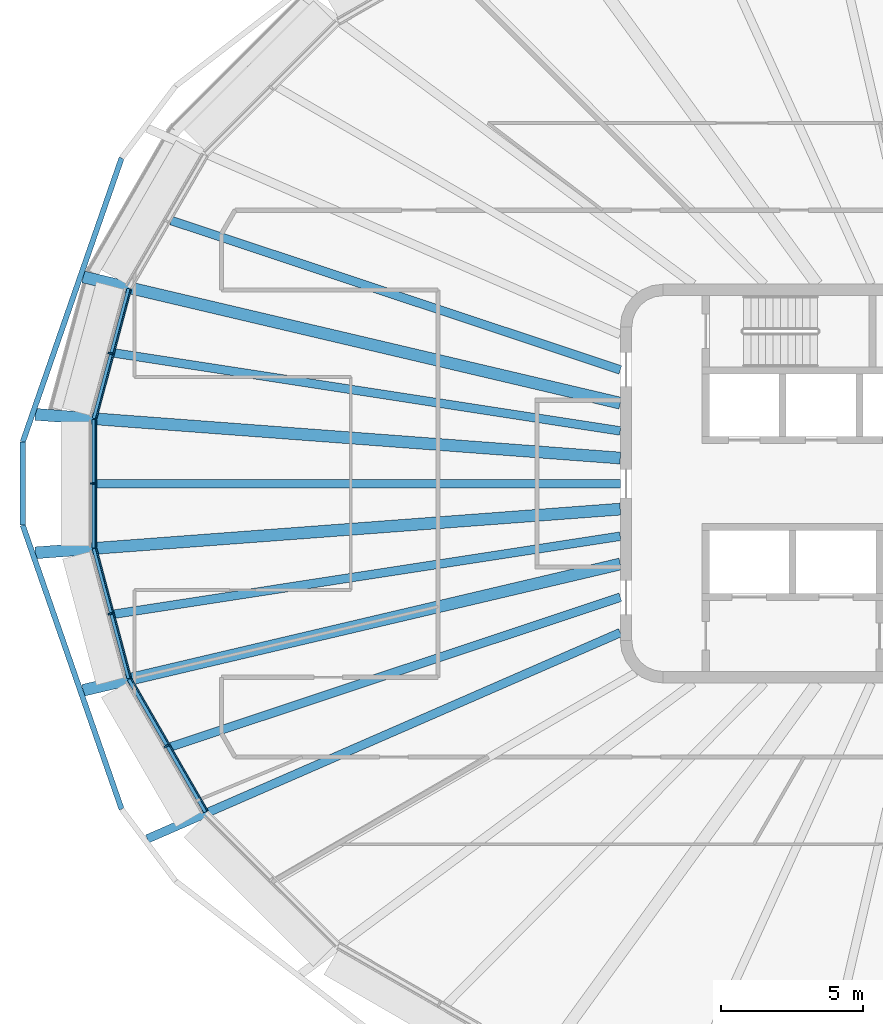
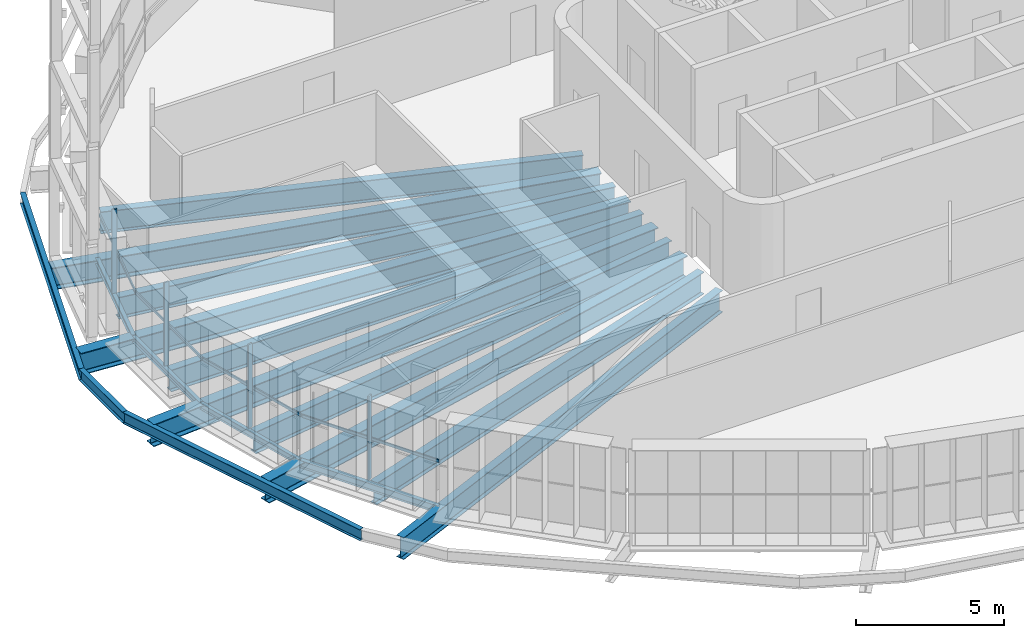
# One storey, part 2 of 20: 17 beams, 8 members, 4 elements without a shape of their own.
"""IFC4 building model written with IfcOpenShell, lengths in metres."""

from ifc_helpers import new_model, si_unit, direction, frame, origin, origin_2d, place, context, subcontext, project, spatial, rectangle, i_section, extrude, material, layer, layer_set, material_profile, profile_set, type_object, element, aggregate, save


model = new_model("IFC4")

# Units and contexts
model_context = context("Model", 3, precision=1e-05, world=origin(), true_north=direction((0.0, 1.0)))
body_context = subcontext(model_context, "Body", "Model", "MODEL_VIEW")
ifc_project = project(units=[si_unit("LENGTHUNIT", "METRE"), si_unit("AREAUNIT", "SQUARE_METRE"), si_unit("VOLUMEUNIT", "CUBIC_METRE"), si_unit("PLANEANGLEUNIT", "RADIAN"), si_unit("MASSUNIT", "GRAM", prefix="KILO")], contexts=[model_context])

# Site, building, storey
site_placement = place(None, origin())
site = spatial("IfcSite", under=ifc_project, at=site_placement, CompositionType="ELEMENT")
building_placement = place(site_placement, origin())
building = spatial("IfcBuilding", under=site, at=building_placement, Name="Sahrelin Media Tower", CompositionType="ELEMENT")
storey_placement = place(building_placement, frame((0.0, 0.0, 213.60009765625)))
storey = spatial("IfcBuildingStorey", under=building, at=storey_placement, Name="L45", CompositionType="ELEMENT", Elevation=213.60009765625)

# Beams
ifc_material_1 = material(Name="Steel S355", Category="steel")
ifc_material_profile_1 = material_profile(ifc_material_1, i_section(OverallWidth=0.14599609375, OverallDepth=0.25146484375, WebThickness=0.006103515625, FlangeThickness=0.008544921875, FilletRadius=0.007568359375, at=origin_2d()), Name="UB 254x146x31")
ifc_profile_set_1 = profile_set([ifc_material_profile_1], Name="Steel S355")
beam_type_1 = type_object("IfcBeamType", Name="Edge beam EB1", PredefinedType="BEAM", material=ifc_profile_set_1)
beam_1_placement = place(storey_placement, frame((-29.247314453125, -6.838623046875, -0.27587890625), z_axis=(-0.258783514441, 0.965935346001, 0.0), x_axis=(-0.965935346001, -0.258783514441, 0.0)))
element("IfcBeam", 1, at=beam_1_placement, inside=storey, type_object=beam_type_1, Name="Edge beam L45-12", PredefinedType="BEAM", context=body_context, shape_type="SweptSolid", body=[
    extrude(i_section(OverallWidth=0.14599609375, OverallDepth=0.25146484375, WebThickness=0.006103515625, FlangeThickness=0.008544921875, FilletRadius=0.007568359375, at=origin_2d()), origin(), (0.0, 0.0, 1.0), 4.717041015625),
])
beam_2_placement = place(storey_placement, frame((-30.4716796875, -2.253662109375, -0.27587890625), z_axis=(0.0, 1.0, 0.0), x_axis=(-1.0, 0.0, 0.0)))
element("IfcBeam", 2, at=beam_2_placement, inside=storey, type_object=beam_type_1, Name="Edge beam L45-13", PredefinedType="BEAM", context=body_context, shape_type="SweptSolid", body=[
    extrude(i_section(OverallWidth=0.14599609375, OverallDepth=0.25146484375, WebThickness=0.006103515625, FlangeThickness=0.008544921875, FilletRadius=0.007568359375, at=origin_2d()), origin(), (0.0, 0.0, 1.0), 4.50732421875),
])
beam_3_placement = place(storey_placement, frame((-30.468017578125, 2.2822265625, -0.27587890625), z_axis=(0.258783514441, 0.965935346001, 0.0), x_axis=(-0.965935346001, 0.258783514441, 0.0)))
element("IfcBeam", 3, at=beam_3_placement, inside=storey, type_object=beam_type_1, Name="Edge beam L45-14", PredefinedType="BEAM", context=body_context, shape_type="SweptSolid", body=[
    extrude(i_section(OverallWidth=0.14599609375, OverallDepth=0.25146484375, WebThickness=0.006103515625, FlangeThickness=0.008544921875, FilletRadius=0.007568359375, at=origin_2d()), origin(), (0.0, 0.0, 1.0), 4.717041015625),
])
ifc_material_profile_2 = material_profile(ifc_material_1, i_section(OverallWidth=0.1650390625, OverallDepth=0.303466796875, WebThickness=0.006103515625, FlangeThickness=0.01025390625, FilletRadius=0.0087890625, at=origin_2d()), Name="UB 305x165x40")
ifc_profile_set_2 = profile_set([ifc_material_profile_2], Name="Steel S355")
beam_type_2 = type_object("IfcBeamType", Name="Edge beam EB2", PredefinedType="BEAM", material=ifc_profile_set_2)
beam_4_placement = place(storey_placement, frame((-26.5478515625, -11.521484375, -0.3017578125), z_axis=(-0.499992359988, 0.866029814703, 0.0), x_axis=(-0.866029814703, -0.499992359988, 0.0)))
element("IfcBeam", 4, at=beam_4_placement, inside=storey, type_object=beam_type_2, Name="Edge beam L45-11", PredefinedType="BEAM", context=body_context, shape_type="SweptSolid", body=[
    extrude(i_section(OverallWidth=0.1650390625, OverallDepth=0.303466796875, WebThickness=0.006103515625, FlangeThickness=0.01025390625, FilletRadius=0.0087890625, at=origin_2d()), origin(), (0.0, 0.0, 1.0), 5.37646484375),
])

# Curtain wall, member
ifc_material_2 = material(Name="Champagne anodised aluminium 6063-T6", Category="aluminium")
ifc_layer = layer(ifc_material_2, 0.14990234375)
ifc_layer_set = layer_set([ifc_layer], Name="Tower ribbon curtain wall")
curtain_wall_type = type_object("IfcCurtainWallType", Name="Tower ribbon curtain wall", PredefinedType="NOTDEFINED", material=ifc_layer_set)
curtain_wall_1_placement = place(storey_placement, frame((-30.00244140625, 4.59912109375, 0.0), z_axis=(0.0, 0.0, 1.0), x_axis=(1.0, 0.0, 0.0)))
curtain_wall_1 = element("IfcCurtainWall", 5, at=curtain_wall_1_placement, inside=storey, type_object=curtain_wall_type, Name="L45:CW:L45-11", PredefinedType="NOTDEFINED")
ifc_material_profile_3 = material_profile(ifc_material_2, rectangle(XDim=0.06005859375, YDim=0.175048828125, at=origin_2d()), Name="Mullion 60x175")
ifc_profile_set_3 = profile_set([ifc_material_profile_3], Name="Champagne anodised aluminium 6063-T6")
member_type_1 = type_object("IfcMemberType", Name="Mullion 60x175 CW1B", PredefinedType="MULLION", material=ifc_profile_set_3)
member_1_placement = place(storey_placement, frame((-29.898681640625, 4.5712890625, 0.0), z_axis=(0.0, 0.0, 1.0), x_axis=(-0.258820730961, -0.965925374563, 0.0)))
member_1 = element("IfcMember", 6, at=member_1_placement, type_object=member_type_1, Name="L45:CWM:L45-11", PredefinedType="MULLION", context=body_context, shape_type="SweptSolid", body=[
    extrude(rectangle(XDim=0.06005859375, YDim=0.175048828125, at=origin_2d()), origin(), (0.0, 0.0, 1.0), 3.448486328125),
])

curtain_wall_2_placement = place(storey_placement, frame((-30.621826171875, 0.0, 0.0), z_axis=(0.0, 0.0, 1.0), x_axis=(1.0, 0.0, 0.0)))
curtain_wall_2 = element("IfcCurtainWall", 7, at=curtain_wall_2_placement, inside=storey, type_object=curtain_wall_type, Name="L45:CW:L45-12", PredefinedType="NOTDEFINED")
member_2_placement = place(storey_placement, frame((-30.514404296875, 0.0, 0.0), z_axis=(0.0, 0.0, 1.0), x_axis=(0.0, -1.0, 0.0)))
member_2 = element("IfcMember", 8, at=member_2_placement, type_object=member_type_1, Name="L45:CWM:L45-12", PredefinedType="MULLION", context=body_context, shape_type="SweptSolid", body=[
    extrude(rectangle(XDim=0.06005859375, YDim=0.175048828125, at=origin_2d()), origin(), (0.0, 0.0, 1.0), 3.448486328125),
])

curtain_wall_3_placement = place(storey_placement, frame((-30.00244140625, -4.599365234375, 0.0), z_axis=(0.0, 0.0, 1.0), x_axis=(1.0, 0.0, 0.0)))
curtain_wall_3 = element("IfcCurtainWall", 9, at=curtain_wall_3_placement, inside=storey, type_object=curtain_wall_type, Name="L45:CW:L45-13", PredefinedType="NOTDEFINED")
member_3_placement = place(storey_placement, frame((-29.898681640625, -4.5712890625, 0.0), z_axis=(0.0, 0.0, 1.0), x_axis=(0.258820730961, -0.965925374563, 0.0)))
member_3 = element("IfcMember", 10, at=member_3_placement, type_object=member_type_1, Name="L45:CWM:L45-13", PredefinedType="MULLION", context=body_context, shape_type="SweptSolid", body=[
    extrude(rectangle(XDim=0.06005859375, YDim=0.175048828125, at=origin_2d()), origin(), (0.0, 0.0, 1.0), 3.448486328125),
])

curtain_wall_4_placement = place(storey_placement, frame((-28.02197265625, -9.268310546875, 0.0), z_axis=(0.0, 0.0, 1.0), x_axis=(1.0, 0.0, 0.0)))
curtain_wall_4 = element("IfcCurtainWall", 11, at=curtain_wall_4_placement, inside=storey, type_object=curtain_wall_type, Name="L45:CW:L45-14", PredefinedType="NOTDEFINED")
member_4_placement = place(storey_placement, frame((-27.9287109375, -9.214599609375, 0.0), z_axis=(0.0, 0.0, 1.0), x_axis=(0.4999984885, -0.866026276448, 0.0)))
member_4 = element("IfcMember", 12, at=member_4_placement, type_object=member_type_1, Name="L45:CWM:L45-14", PredefinedType="MULLION", context=body_context, shape_type="SweptSolid", body=[
    extrude(rectangle(XDim=0.06005859375, YDim=0.175048828125, at=origin_2d()), origin(), (0.0, 0.0, 1.0), 3.448486328125),
])

# Beams
ifc_material_profile_4 = material_profile(ifc_material_1, i_section(OverallWidth=0.30322265625, OverallDepth=0.903076171875, WebThickness=0.01513671875, FlangeThickness=0.020263671875, FilletRadius=0.01904296875, at=origin_2d()), Name="UB 914x305x201")
ifc_profile_set_4 = profile_set([ifc_material_profile_4], Name="Steel S355")
beam_type_3 = type_object("IfcBeamType", Name="Radial primary beam PB11", PredefinedType="BEAM", material=ifc_profile_set_4)
beam_5_placement = place(storey_placement, frame((-12.0, -5.23291015625, -0.6015625), z_axis=(-0.916633040882, -0.399729744156, 0.0), x_axis=(0.399729744156, -0.916633040882, 0.0)))
element("IfcBeam", 13, at=beam_5_placement, inside=storey, type_object=beam_type_3, Name="Radial beam L45-15", PredefinedType="BEAM", context=body_context, shape_type="SweptSolid", body=[
    extrude(i_section(OverallWidth=0.30322265625, OverallDepth=0.903076171875, WebThickness=0.01513671875, FlangeThickness=0.020263671875, FilletRadius=0.01904296875, at=origin_2d()), origin(), (0.0, 0.0, 1.0), 18.11474609375),
])
ifc_material_profile_5 = material_profile(ifc_material_1, i_section(OverallWidth=0.41845703125, OverallDepth=0.911865234375, WebThickness=0.019287109375, FlangeThickness=0.031982421875, FilletRadius=0.024169921875, at=origin_2d()), Name="UB 914x419x343")
ifc_profile_set_5 = profile_set([ifc_material_profile_5], Name="Steel S355")
beam_type_4 = type_object("IfcBeamType", Name="Radial primary beam PB12", PredefinedType="BEAM", material=ifc_profile_set_5)
beam_6_placement = place(storey_placement, frame((-12.0, 2.822265625, -0.60595703125), z_axis=(-0.973440466641, 0.22894029332, 0.0), x_axis=(-0.22894029332, -0.973440466641, 0.0)))
element("IfcBeam", 14, at=beam_6_placement, inside=storey, type_object=beam_type_4, Name="Radial beam L45-11", PredefinedType="BEAM", context=body_context, shape_type="SweptSolid", body=[
    extrude(i_section(OverallWidth=0.41845703125, OverallDepth=0.911865234375, WebThickness=0.019287109375, FlangeThickness=0.031982421875, FilletRadius=0.024169921875, at=origin_2d()), origin(), (0.0, 0.0, 1.0), 19.373291015625),
])
for number, where, z_axis, x_axis, name in (
    (15, (-12.0, 0.896484375, -0.60595703125), (-0.9972200688, 0.074512645791, 0.0), (-0.074512645791, -0.9972200688, 0.0), "Radial beam L45-12"),
    (16, (-12.0, -0.896484375, -0.60595703125), (-0.9972200688, -0.074512645791, 0.0), (0.074512645791, -0.9972200688, 0.0), "Radial beam L45-13"),
):
    element("IfcBeam", number, at=place(storey_placement, frame(where, z_axis=z_axis, x_axis=x_axis)), inside=storey, type_object=beam_type_4, Name=name, PredefinedType="BEAM", context=body_context, shape_type="SweptSolid", body=[
        extrude(i_section(OverallWidth=0.41845703125, OverallDepth=0.911865234375, WebThickness=0.019287109375, FlangeThickness=0.031982421875, FilletRadius=0.024169921875, at=origin_2d()), origin(), (0.0, 0.0, 1.0), 20.59619140625),
    ])
beam_7_placement = place(storey_placement, frame((-12.0, -2.822265625, -0.60595703125), z_axis=(-0.973440466641, -0.22894029332, 0.0), x_axis=(0.22894029332, -0.973440466641, 0.0)))
element("IfcBeam", 17, at=beam_7_placement, inside=storey, type_object=beam_type_4, Name="Radial beam L45-14", PredefinedType="BEAM", context=body_context, shape_type="SweptSolid", body=[
    extrude(i_section(OverallWidth=0.41845703125, OverallDepth=0.911865234375, WebThickness=0.019287109375, FlangeThickness=0.031982421875, FilletRadius=0.024169921875, at=origin_2d()), origin(), (0.0, 0.0, 1.0), 19.373291015625),
])
ifc_material_profile_6 = material_profile(ifc_material_1, i_section(OverallWidth=0.30322265625, OverallDepth=0.903076171875, WebThickness=0.01513671875, FlangeThickness=0.020263671875, FilletRadius=0.01904296875, at=origin_2d()), Name="UB 914x305x201")
ifc_profile_set_6 = profile_set([ifc_material_profile_6], Name="Steel S355")
beam_type_5 = type_object("IfcBeamType", Name="Radial secondary beam SB11", PredefinedType="BEAM", material=ifc_profile_set_6)
beam_8_placement = place(storey_placement, frame((-12.0, 3.991455078125, -0.6015625), z_axis=(-0.948887272654, 0.315615183088, 0.0), x_axis=(-0.315615183088, -0.948887272654, 0.0)))
element("IfcBeam", 18, at=beam_8_placement, inside=storey, type_object=beam_type_5, Name="Secondary beam L45-10", PredefinedType="BEAM", context=body_context, shape_type="SweptSolid", body=[
    extrude(i_section(OverallWidth=0.30322265625, OverallDepth=0.903076171875, WebThickness=0.01513671875, FlangeThickness=0.020263671875, FilletRadius=0.01904296875, at=origin_2d()), origin(), (0.0, 0.0, 1.0), 16.62109375),
])
beam_9_placement = place(storey_placement, frame((-12.0, 1.847900390625, -0.6015625), z_axis=(-0.988351758575, 0.152186731752, 0.0), x_axis=(-0.152186731752, -0.988351758575, 0.0)))
element("IfcBeam", 19, at=beam_9_placement, inside=storey, type_object=beam_type_5, Name="Secondary beam L45-11", PredefinedType="BEAM", context=body_context, shape_type="SweptSolid", body=[
    extrude(i_section(OverallWidth=0.30322265625, OverallDepth=0.903076171875, WebThickness=0.01513671875, FlangeThickness=0.020263671875, FilletRadius=0.01904296875, at=origin_2d()), origin(), (0.0, 0.0, 1.0), 17.98486328125),
])
beam_10_placement = place(storey_placement, frame((-12.0, 0.0, -0.6015625), z_axis=(-1.0, 0.0, 0.0), x_axis=(0.0, -1.0, 0.0)))
element("IfcBeam", 20, at=beam_10_placement, inside=storey, type_object=beam_type_5, Name="Secondary beam L45-12", PredefinedType="BEAM", context=body_context, shape_type="SweptSolid", body=[
    extrude(i_section(OverallWidth=0.30322265625, OverallDepth=0.903076171875, WebThickness=0.01513671875, FlangeThickness=0.020263671875, FilletRadius=0.01904296875, at=origin_2d()), origin(), (0.0, 0.0, 1.0), 18.398681640625),
])
beam_11_placement = place(storey_placement, frame((-12.0, -1.847900390625, -0.6015625), z_axis=(-0.988351758575, -0.152186731752, 0.0), x_axis=(0.152186731752, -0.988351758575, 0.0)))
element("IfcBeam", 21, at=beam_11_placement, inside=storey, type_object=beam_type_5, Name="Secondary beam L45-13", PredefinedType="BEAM", context=body_context, shape_type="SweptSolid", body=[
    extrude(i_section(OverallWidth=0.30322265625, OverallDepth=0.903076171875, WebThickness=0.01513671875, FlangeThickness=0.020263671875, FilletRadius=0.01904296875, at=origin_2d()), origin(), (0.0, 0.0, 1.0), 17.98486328125),
])
beam_12_placement = place(storey_placement, frame((-12.0, -3.991455078125, -0.6015625), z_axis=(-0.948887272654, -0.315615183088, 0.0), x_axis=(0.315615183088, -0.948887272654, 0.0)))
element("IfcBeam", 22, at=beam_12_placement, inside=storey, type_object=beam_type_5, Name="Secondary beam L45-14", PredefinedType="BEAM", context=body_context, shape_type="SweptSolid", body=[
    extrude(i_section(OverallWidth=0.30322265625, OverallDepth=0.903076171875, WebThickness=0.01513671875, FlangeThickness=0.020263671875, FilletRadius=0.01904296875, at=origin_2d()), origin(), (0.0, 0.0, 1.0), 16.62109375),
])
ifc_material_profile_7 = material_profile(ifc_material_1, i_section(OverallWidth=0.1904296875, OverallDepth=0.45703125, WebThickness=0.009033203125, FlangeThickness=0.014404296875, FilletRadius=0.01025390625, at=origin_2d()), Name="UB 457x191x74")
ifc_profile_set_7 = profile_set([ifc_material_profile_7], Name="Steel S355")
beam_type_6 = type_object("IfcBeamType", Name="Tie chord TC5", PredefinedType="BEAM", material=ifc_profile_set_7)
beam_13_placement = place(storey_placement, frame((-29.507080078125, 11.42919921875, -0.378662109375), z_axis=(-0.328783385731, -0.944405360673, 0.0), x_axis=(0.944405360673, -0.328783385731, 0.0)))
element("IfcBeam", 23, at=beam_13_placement, inside=storey, type_object=beam_type_6, Name="Tie chord L45-11", PredefinedType="BEAM", context=body_context, shape_type="SweptSolid", body=[
    extrude(i_section(OverallWidth=0.1904296875, OverallDepth=0.45703125, WebThickness=0.009033203125, FlangeThickness=0.014404296875, FilletRadius=0.01025390625, at=origin_2d()), origin(), (0.0, 0.0, 1.0), 10.558349609375),
])
beam_14_placement = place(storey_placement, frame((-32.978515625, 1.457763671875, -0.378662109375), z_axis=(0.0, -1.0, 0.0), x_axis=(1.0, 0.0, 0.0)))
element("IfcBeam", 24, at=beam_14_placement, inside=storey, type_object=beam_type_6, Name="Tie chord L45-12", PredefinedType="BEAM", context=body_context, shape_type="SweptSolid", body=[
    extrude(i_section(OverallWidth=0.1904296875, OverallDepth=0.45703125, WebThickness=0.009033203125, FlangeThickness=0.014404296875, FilletRadius=0.01025390625, at=origin_2d()), origin(), (0.0, 0.0, 1.0), 2.91552734375),
])
beam_15_placement = place(storey_placement, frame((-32.978515625, -1.457763671875, -0.378662109375), z_axis=(0.328783385731, -0.944405360673, 0.0), x_axis=(0.944405360673, 0.328783385731, 0.0)))
element("IfcBeam", 25, at=beam_15_placement, inside=storey, type_object=beam_type_6, Name="Tie chord L45-13", PredefinedType="BEAM", context=body_context, shape_type="SweptSolid", body=[
    extrude(i_section(OverallWidth=0.1904296875, OverallDepth=0.45703125, WebThickness=0.009033203125, FlangeThickness=0.014404296875, FilletRadius=0.01025390625, at=origin_2d()), origin(), (0.0, 0.0, 1.0), 10.558349609375),
])

# Member
ifc_material_profile_8 = material_profile(ifc_material_2, rectangle(XDim=0.050048828125, YDim=0.110107421875, at=origin_2d()), Name="Transom 50x110")
ifc_profile_set_8 = profile_set([ifc_material_profile_8], Name="Champagne anodised aluminium 6063-T6")
member_type_2 = type_object("IfcMemberType", Name="Transom 50x110 CW1B", PredefinedType="USERDEFINED", material=ifc_profile_set_8)
member_5_placement = place(storey_placement, frame((-29.18359375, 6.805419921875, 1.599853515625), z_axis=(-0.258842861016, -0.96591944452, 0.0), x_axis=(0.96591944452, -0.258842861016, 0.0)))
member_5 = element("IfcMember", 26, at=member_5_placement, type_object=member_type_2, Name="L45:CWT:L45-11", ObjectType="TRANSOM", PredefinedType="USERDEFINED", context=body_context, shape_type="SweptSolid", body=[
    extrude(rectangle(XDim=0.050048828125, YDim=0.110107421875, at=origin_2d()), origin(), (0.0, 0.0, 1.0), 4.685791015625),
])

aggregate(curtain_wall_1, [member_1, member_5])

member_6_placement = place(storey_placement, frame((-30.40185546875, 2.238037109375, 1.599853515625), z_axis=(0.0, -1.0, 0.0), x_axis=(1.0, 0.0, 0.0)))
member_6 = element("IfcMember", 27, at=member_6_placement, type_object=member_type_2, Name="L45:CWT:L45-12", ObjectType="TRANSOM", PredefinedType="USERDEFINED", context=body_context, shape_type="SweptSolid", body=[
    extrude(rectangle(XDim=0.050048828125, YDim=0.110107421875, at=origin_2d()), origin(), (0.0, 0.0, 1.0), 4.47607421875),
])

aggregate(curtain_wall_2, [member_2, member_6])

member_7_placement = place(storey_placement, frame((-30.396484375, -2.279296875, 1.599853515625), z_axis=(0.258842861016, -0.96591944452, 0.0), x_axis=(0.96591944452, 0.258842861016, 0.0)))
member_7 = element("IfcMember", 28, at=member_7_placement, type_object=member_type_2, Name="L45:CWT:L45-13", ObjectType="TRANSOM", PredefinedType="USERDEFINED", context=body_context, shape_type="SweptSolid", body=[
    extrude(rectangle(XDim=0.050048828125, YDim=0.110107421875, at=origin_2d()), origin(), (0.0, 0.0, 1.0), 4.685791015625),
])

aggregate(curtain_wall_3, [member_3, member_7])

member_8_placement = place(storey_placement, frame((-29.167724609375, -6.84375, 1.599853515625), z_axis=(0.499995257159, -0.866028142048, 0.0), x_axis=(0.866028142048, 0.499995257159, 0.0)))
member_8 = element("IfcMember", 29, at=member_8_placement, type_object=member_type_2, Name="L45:CWT:L45-14", ObjectType="TRANSOM", PredefinedType="USERDEFINED", context=body_context, shape_type="SweptSolid", body=[
    extrude(rectangle(XDim=0.050048828125, YDim=0.110107421875, at=origin_2d()), origin(), (0.0, 0.0, 1.0), 5.34521484375),
])

aggregate(curtain_wall_4, [member_4, member_8])

save(model, "model.ifc")
